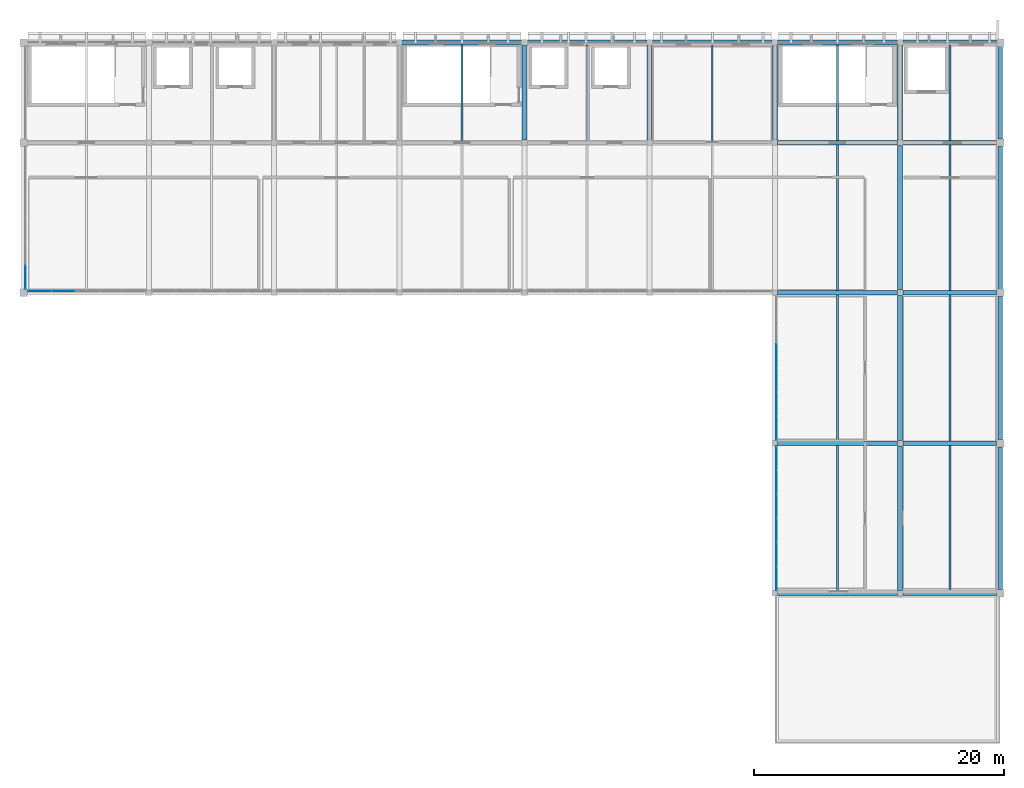
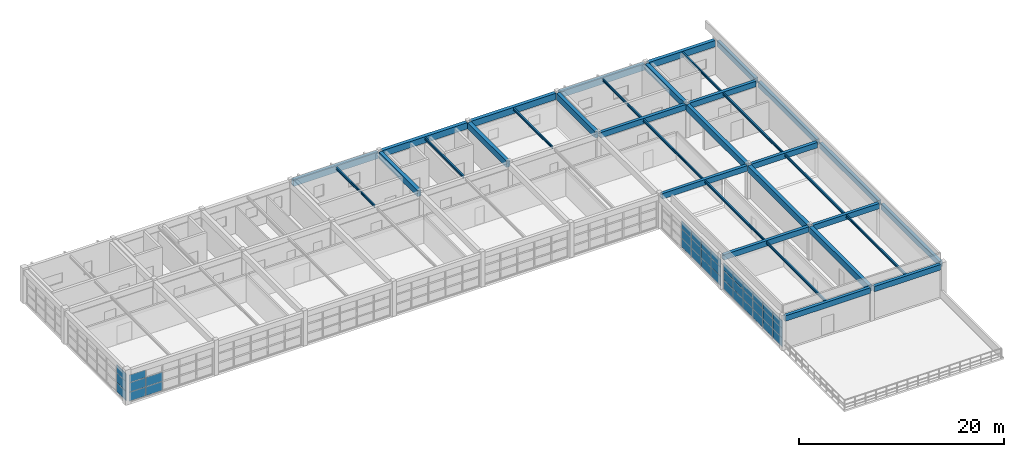
# One storey, part 9 of 16: 38 plates, 35 beams, 4 elements without a shape of their own.
"""IFC4 building model written with IfcOpenShell, lengths in metres."""

from ifc_helpers import new_model, si_unit, direction, frame, origin, origin_2d, place, context, subcontext, project, spatial, rectangle, i_section, extrude, material, layer, layer_set, material_profile, profile_set, type_object, element, aggregate, save


model = new_model("IFC4")

# Units and contexts
model_context = context("Model", 3, precision=1e-05, world=origin(), true_north=direction((0.0, 1.0)))
body_context = subcontext(model_context, "Body", "Model", "MODEL_VIEW")
ifc_project = project(units=[si_unit("LENGTHUNIT", "METRE"), si_unit("AREAUNIT", "SQUARE_METRE"), si_unit("VOLUMEUNIT", "CUBIC_METRE"), si_unit("PLANEANGLEUNIT", "RADIAN"), si_unit("MASSUNIT", "GRAM", prefix="KILO")], contexts=[model_context])

# Site, building, storey
site_placement = place(None, origin())
site = spatial("IfcSite", under=ifc_project, at=site_placement, CompositionType="ELEMENT")
building_placement = place(site_placement, origin())
building = spatial("IfcBuilding", under=site, at=building_placement, Name="Kivolera Central Railway Station", CompositionType="ELEMENT")
storey_placement = place(building_placement, frame((0.0, 0.0, 27.0)))
storey = spatial("IfcBuildingStorey", under=building, at=storey_placement, Name="L06", CompositionType="ELEMENT", Elevation=27.0)

# Beams
ifc_material_1 = material(Name="Steel S355", Category="steel")
ifc_material_profile_1 = material_profile(ifc_material_1, i_section(OverallWidth=0.14990234375, OverallDepth=0.300048828125, WebThickness=0.007080078125, FlangeThickness=0.0107421875, FilletRadius=0.014892578125, at=origin_2d()), Name="IPE 300")
ifc_profile_set_1 = profile_set([ifc_material_profile_1], Name="Steel S355")
beam_type_1 = type_object("IfcBeamType", Name="BM-JST-IPE300", PredefinedType="JOIST", material=ifc_profile_set_1)
for number, where, z_axis, x_axis, name in (
    (1, (153.0, 126.1669921875, 3.818115234375), (0.0, 1.0, 0.0), (-1.0, 0.0, 0.0), "L06 Floor Joist 15-16/L-M"),
    (2, (163.0, 126.1669921875, 3.818115234375), (0.0, 1.0, 0.0), (-1.0, 0.0, 0.0), "L06 Floor Joist 16-17/L-M"),
    (3, (173.0, 126.1669921875, 3.818115234375), (0.0, 1.0, 0.0), (-1.0, 0.0, 0.0), "L06 Floor Joist 17-18/L-M"),
):
    element("IfcBeam", number, at=place(storey_placement, frame(where, z_axis=z_axis, x_axis=x_axis)), inside=storey, type_object=beam_type_1, Name=name, PredefinedType="JOIST", context=body_context, shape_type="SweptSolid", body=[
        extrude(i_section(OverallWidth=0.14990234375, OverallDepth=0.300048828125, WebThickness=0.007080078125, FlangeThickness=0.0107421875, FilletRadius=0.014892578125, at=origin_2d()), origin(), (0.0, 0.0, 1.0), 7.64111328125),
    ])
for number, where, z_axis, x_axis, name in (
    (4, (183.0, 90.1669921875, 3.818115234375), (0.0, 1.0, 0.0), (-1.0, 0.0, 0.0), "L06 Floor Joist 18-19/H-J"),
    (5, (183.0, 102.1669921875, 3.818115234375), (0.0, 1.0, 0.0), (-1.0, 0.0, 0.0), "L06 Floor Joist 18-19/J-K"),
    (6, (183.0, 114.1669921875, 3.818115234375), (0.0, 1.0, 0.0), (-1.0, 0.0, 0.0), "L06 Floor Joist 18-19/K-L"),
):
    element("IfcBeam", number, at=place(storey_placement, frame(where, z_axis=z_axis, x_axis=x_axis)), inside=storey, type_object=beam_type_1, Name=name, PredefinedType="JOIST", context=body_context, shape_type="SweptSolid", body=[
        extrude(i_section(OverallWidth=0.14990234375, OverallDepth=0.300048828125, WebThickness=0.007080078125, FlangeThickness=0.0107421875, FilletRadius=0.014892578125, at=origin_2d()), origin(), (0.0, 0.0, 1.0), 11.666015625),
    ])
beam_1_placement = place(storey_placement, frame((183.0, 126.1669921875, 3.818115234375), z_axis=(0.0, 1.0, 0.0), x_axis=(-1.0, 0.0, 0.0)))
element("IfcBeam", 7, at=beam_1_placement, inside=storey, type_object=beam_type_1, Name="L06 Floor Joist 18-19/L-M", PredefinedType="JOIST", context=body_context, shape_type="SweptSolid", body=[
    extrude(i_section(OverallWidth=0.14990234375, OverallDepth=0.300048828125, WebThickness=0.007080078125, FlangeThickness=0.0107421875, FilletRadius=0.014892578125, at=origin_2d()), origin(), (0.0, 0.0, 1.0), 7.64111328125),
])
for number, where, z_axis, x_axis, name in (
    (8, (192.0, 90.1669921875, 3.818115234375), (0.0, 1.0, 0.0), (-1.0, 0.0, 0.0), "L06 Floor Joist 19-20/H-J"),
    (9, (192.0, 102.1669921875, 3.818115234375), (0.0, 1.0, 0.0), (-1.0, 0.0, 0.0), "L06 Floor Joist 19-20/J-K"),
    (10, (192.0, 114.1669921875, 3.818115234375), (0.0, 1.0, 0.0), (-1.0, 0.0, 0.0), "L06 Floor Joist 19-20/K-L"),
):
    element("IfcBeam", number, at=place(storey_placement, frame(where, z_axis=z_axis, x_axis=x_axis)), inside=storey, type_object=beam_type_1, Name=name, PredefinedType="JOIST", context=body_context, shape_type="SweptSolid", body=[
        extrude(i_section(OverallWidth=0.14990234375, OverallDepth=0.300048828125, WebThickness=0.007080078125, FlangeThickness=0.0107421875, FilletRadius=0.014892578125, at=origin_2d()), origin(), (0.0, 0.0, 1.0), 11.666015625),
    ])
beam_2_placement = place(storey_placement, frame((192.0, 126.1669921875, 3.818115234375), z_axis=(0.0, 1.0, 0.0), x_axis=(-1.0, 0.0, 0.0)))
element("IfcBeam", 11, at=beam_2_placement, inside=storey, type_object=beam_type_1, Name="L06 Floor Joist 19-20/L-M", PredefinedType="JOIST", context=body_context, shape_type="SweptSolid", body=[
    extrude(i_section(OverallWidth=0.14990234375, OverallDepth=0.300048828125, WebThickness=0.007080078125, FlangeThickness=0.0107421875, FilletRadius=0.014892578125, at=origin_2d()), origin(), (0.0, 0.0, 1.0), 7.64111328125),
])
ifc_material_2 = material(Name="Concrete C40/50", Category="concrete")
ifc_material_profile_2 = material_profile(ifc_material_2, rectangle(XDim=0.35009765625, YDim=0.64990234375, at=origin_2d()), Name="RC 350x650")
ifc_profile_set_2 = profile_set([ifc_material_profile_2], Name="Concrete C40/50")
beam_type_2 = type_object("IfcBeamType", Name="BM-RC-350x650", PredefinedType="BEAM", material=ifc_profile_set_2)
beam_3_placement = place(storey_placement, frame((178.217041015625, 90.0, 3.655029296875), z_axis=(1.0, 0.0, 0.0), x_axis=(0.0, 1.0, 0.0)))
element("IfcBeam", 12, at=beam_3_placement, inside=storey, type_object=beam_type_2, Name="L06 Wing X-Beam H:18-19", PredefinedType="BEAM", context=body_context, shape_type="SweptSolid", body=[
    extrude(rectangle(XDim=0.35009765625, YDim=0.64990234375, at=origin_2d()), origin(), (0.0, 0.0, 1.0), 9.56591796875),
])
beam_4_placement = place(storey_placement, frame((188.217041015625, 90.0, 3.655029296875), z_axis=(1.0, 0.0, 0.0), x_axis=(0.0, 1.0, 0.0)))
element("IfcBeam", 13, at=beam_4_placement, inside=storey, type_object=beam_type_2, Name="L06 Wing X-Beam H:19-20", PredefinedType="BEAM", context=body_context, shape_type="SweptSolid", body=[
    extrude(rectangle(XDim=0.35009765625, YDim=0.64990234375, at=origin_2d()), origin(), (0.0, 0.0, 1.0), 7.490966796875),
])
beam_5_placement = place(storey_placement, frame((178.217041015625, 102.0, 3.655029296875), z_axis=(1.0, 0.0, 0.0), x_axis=(0.0, 1.0, 0.0)))
element("IfcBeam", 14, at=beam_5_placement, inside=storey, type_object=beam_type_2, Name="L06 Wing X-Beam J:18-19", PredefinedType="BEAM", context=body_context, shape_type="SweptSolid", body=[
    extrude(rectangle(XDim=0.35009765625, YDim=0.64990234375, at=origin_2d()), origin(), (0.0, 0.0, 1.0), 9.56591796875),
])
beam_6_placement = place(storey_placement, frame((188.217041015625, 102.0, 3.655029296875), z_axis=(1.0, 0.0, 0.0), x_axis=(0.0, 1.0, 0.0)))
element("IfcBeam", 15, at=beam_6_placement, inside=storey, type_object=beam_type_2, Name="L06 Wing X-Beam J:19-20", PredefinedType="BEAM", context=body_context, shape_type="SweptSolid", body=[
    extrude(rectangle(XDim=0.35009765625, YDim=0.64990234375, at=origin_2d()), origin(), (0.0, 0.0, 1.0), 7.490966796875),
])
beam_7_placement = place(storey_placement, frame((178.217041015625, 114.0, 3.655029296875), z_axis=(1.0, 0.0, 0.0), x_axis=(0.0, 1.0, 0.0)))
element("IfcBeam", 16, at=beam_7_placement, inside=storey, type_object=beam_type_2, Name="L06 Wing X-Beam K:18-19", PredefinedType="BEAM", context=body_context, shape_type="SweptSolid", body=[
    extrude(rectangle(XDim=0.35009765625, YDim=0.64990234375, at=origin_2d()), origin(), (0.0, 0.0, 1.0), 9.56591796875),
])
beam_8_placement = place(storey_placement, frame((188.217041015625, 114.0, 3.655029296875), z_axis=(1.0, 0.0, 0.0), x_axis=(0.0, 1.0, 0.0)))
element("IfcBeam", 17, at=beam_8_placement, inside=storey, type_object=beam_type_2, Name="L06 Wing X-Beam K:19-20", PredefinedType="BEAM", context=body_context, shape_type="SweptSolid", body=[
    extrude(rectangle(XDim=0.35009765625, YDim=0.64990234375, at=origin_2d()), origin(), (0.0, 0.0, 1.0), 7.490966796875),
])
beam_9_placement = place(storey_placement, frame((178.217041015625, 126.0, 3.655029296875), z_axis=(1.0, 0.0, 0.0), x_axis=(0.0, 1.0, 0.0)))
element("IfcBeam", 18, at=beam_9_placement, inside=storey, type_object=beam_type_2, Name="L06 Wing X-Beam L:18-19", PredefinedType="BEAM", context=body_context, shape_type="SweptSolid", body=[
    extrude(rectangle(XDim=0.35009765625, YDim=0.64990234375, at=origin_2d()), origin(), (0.0, 0.0, 1.0), 9.56591796875),
])
beam_10_placement = place(storey_placement, frame((188.217041015625, 126.0, 3.655029296875), z_axis=(1.0, 0.0, 0.0), x_axis=(0.0, 1.0, 0.0)))
element("IfcBeam", 19, at=beam_10_placement, inside=storey, type_object=beam_type_2, Name="L06 Wing X-Beam L:19-20", PredefinedType="BEAM", context=body_context, shape_type="SweptSolid", body=[
    extrude(rectangle(XDim=0.35009765625, YDim=0.64990234375, at=origin_2d()), origin(), (0.0, 0.0, 1.0), 7.490966796875),
])
ifc_material_profile_3 = material_profile(ifc_material_2, rectangle(XDim=0.39990234375, YDim=0.75, at=origin_2d()), Name="RC 400x750")
ifc_profile_set_3 = profile_set([ifc_material_profile_3], Name="Concrete C40/50")
beam_type_3 = type_object("IfcBeamType", Name="BM-RC-400x750", PredefinedType="BEAM", material=ifc_profile_set_3)
for number, where, z_axis, x_axis, name in (
    (20, (158.0, 126.217041015625, 3.60498046875), (0.0, 1.0, 0.0), (-1.0, 0.0, 0.0), "L06 Wing Y-Beam 16:L-M"),
    (21, (168.0, 126.217041015625, 3.60498046875), (0.0, 1.0, 0.0), (-1.0, 0.0, 0.0), "L06 Wing Y-Beam 17:L-M"),
    (22, (178.0, 126.217041015625, 3.60498046875), (0.0, 1.0, 0.0), (-1.0, 0.0, 0.0), "L06 Wing Y-Beam 18:L-M"),
):
    element("IfcBeam", number, at=place(storey_placement, frame(where, z_axis=z_axis, x_axis=x_axis)), inside=storey, type_object=beam_type_3, Name=name, PredefinedType="BEAM", context=body_context, shape_type="SweptSolid", body=[
        extrude(rectangle(XDim=0.39990234375, YDim=0.75, at=origin_2d()), origin(), (0.0, 0.0, 1.0), 7.56591796875),
    ])
for number, where, z_axis, x_axis, name in (
    (23, (188.0, 90.217041015625, 3.60498046875), (0.0, 1.0, 0.0), (-1.0, 0.0, 0.0), "L06 Wing Y-Beam 19:H-J"),
    (24, (188.0, 102.217041015625, 3.60498046875), (0.0, 1.0, 0.0), (-1.0, 0.0, 0.0), "L06 Wing Y-Beam 19:J-K"),
    (25, (188.0, 114.217041015625, 3.60498046875), (0.0, 1.0, 0.0), (-1.0, 0.0, 0.0), "L06 Wing Y-Beam 19:K-L"),
):
    element("IfcBeam", number, at=place(storey_placement, frame(where, z_axis=z_axis, x_axis=x_axis)), inside=storey, type_object=beam_type_3, Name=name, PredefinedType="BEAM", context=body_context, shape_type="SweptSolid", body=[
        extrude(rectangle(XDim=0.39990234375, YDim=0.75, at=origin_2d()), origin(), (0.0, 0.0, 1.0), 11.56591796875),
    ])
beam_11_placement = place(storey_placement, frame((188.0, 126.217041015625, 3.60498046875), z_axis=(0.0, 1.0, 0.0), x_axis=(-1.0, 0.0, 0.0)))
element("IfcBeam", 26, at=beam_11_placement, inside=storey, type_object=beam_type_3, Name="L06 Wing Y-Beam 19:L-M", PredefinedType="BEAM", context=body_context, shape_type="SweptSolid", body=[
    extrude(rectangle(XDim=0.39990234375, YDim=0.75, at=origin_2d()), origin(), (0.0, 0.0, 1.0), 7.56591796875),
])
ifc_material_profile_4 = material_profile(ifc_material_2, rectangle(XDim=0.35009765625, YDim=0.64990234375, at=origin_2d()), Name="RC 350x650")
ifc_profile_set_4 = profile_set([ifc_material_profile_4], Name="Concrete C40/50")
beam_type_4 = type_object("IfcBeamType", Name="BM-SPN-RC650", PredefinedType="SPANDREL", material=ifc_profile_set_4)
for number, where, z_axis, x_axis, name in (
    (27, (196.0, 90.2919921875, 3.655029296875), (0.0, 1.0, 0.0), (-1.0, 0.0, 0.0), "L06 Wing Y-Beam 20:H-J"),
    (28, (196.0, 102.2919921875, 3.655029296875), (0.0, 1.0, 0.0), (-1.0, 0.0, 0.0), "L06 Wing Y-Beam 20:J-K"),
    (29, (196.0, 114.2919921875, 3.655029296875), (0.0, 1.0, 0.0), (-1.0, 0.0, 0.0), "L06 Wing Y-Beam 20:K-L"),
):
    element("IfcBeam", number, at=place(storey_placement, frame(where, z_axis=z_axis, x_axis=x_axis)), inside=storey, type_object=beam_type_4, Name=name, PredefinedType="SPANDREL", context=body_context, shape_type="SweptSolid", body=[
        extrude(rectangle(XDim=0.35009765625, YDim=0.64990234375, at=origin_2d()), origin(), (0.0, 0.0, 1.0), 11.416015625),
    ])
beam_12_placement = place(storey_placement, frame((196.0, 126.2919921875, 3.655029296875), z_axis=(0.0, 1.0, 0.0), x_axis=(-1.0, 0.0, 0.0)))
element("IfcBeam", 30, at=beam_12_placement, inside=storey, type_object=beam_type_4, Name="L06 Wing Y-Beam 20:L-M", PredefinedType="SPANDREL", context=body_context, shape_type="SweptSolid", body=[
    extrude(rectangle(XDim=0.35009765625, YDim=0.64990234375, at=origin_2d()), origin(), (0.0, 0.0, 1.0), 7.416015625),
])
ifc_material_profile_5 = material_profile(ifc_material_2, rectangle(XDim=0.39990234375, YDim=0.75, at=origin_2d()), Name="RC 400x750")
ifc_profile_set_5 = profile_set([ifc_material_profile_5], Name="Concrete C40/50")
beam_type_5 = type_object("IfcBeamType", Name="BM-SPN-RC750", PredefinedType="SPANDREL", material=ifc_profile_set_5)
for number, where, z_axis, x_axis, name in (
    (31, (148.217041015625, 134.0, 3.60498046875), (1.0, 0.0, 0.0), (0.0, 1.0, 0.0), "L06 Wing X-Beam M:15-16"),
    (32, (158.217041015625, 134.0, 3.60498046875), (1.0, 0.0, 0.0), (0.0, 1.0, 0.0), "L06 Wing X-Beam M:16-17"),
    (33, (168.217041015625, 134.0, 3.60498046875), (1.0, 0.0, 0.0), (0.0, 1.0, 0.0), "L06 Wing X-Beam M:17-18"),
    (34, (178.217041015625, 134.0, 3.60498046875), (1.0, 0.0, 0.0), (0.0, 1.0, 0.0), "L06 Wing X-Beam M:18-19"),
):
    element("IfcBeam", number, at=place(storey_placement, frame(where, z_axis=z_axis, x_axis=x_axis)), inside=storey, type_object=beam_type_5, Name=name, PredefinedType="SPANDREL", context=body_context, shape_type="SweptSolid", body=[
        extrude(rectangle(XDim=0.39990234375, YDim=0.75, at=origin_2d()), origin(), (0.0, 0.0, 1.0), 9.56591796875),
    ])
beam_13_placement = place(storey_placement, frame((188.217041015625, 134.0, 3.60498046875), z_axis=(1.0, 0.0, 0.0), x_axis=(0.0, 1.0, 0.0)))
element("IfcBeam", 35, at=beam_13_placement, inside=storey, type_object=beam_type_5, Name="L06 Wing X-Beam M:19-20", PredefinedType="SPANDREL", context=body_context, shape_type="SweptSolid", body=[
    extrude(rectangle(XDim=0.39990234375, YDim=0.75, at=origin_2d()), origin(), (0.0, 0.0, 1.0), 7.490966796875),
])

# Curtain wall, plates
ifc_material_3 = material(Name="Anodised aluminium", Category="aluminium")
ifc_layer_1 = layer(ifc_material_3, 0.179931640625, Name="Anodised aluminium")
ifc_layer_set_1 = layer_set([ifc_layer_1], Name="Anodised aluminium")
curtain_wall_type_1 = type_object("IfcCurtainWallType", Name="CW-SYS-37", PredefinedType="NOTDEFINED", material=ifc_layer_set_1)
curtain_wall_1_placement = place(storey_placement, origin())
curtain_wall_1 = element("IfcCurtainWall", 36, at=curtain_wall_1_placement, inside=storey, type_object=curtain_wall_type_1, Name="L06 Curtain Wall CW-L06-SOUTH-1", PredefinedType="NOTDEFINED")
ifc_material_4 = material(Name="Double low-E laminated glass", Category="glass")
ifc_layer_2 = layer(ifc_material_4, 0.030029296875, Name="Double low-E laminated glass")
ifc_layer_set_2 = layer_set([ifc_layer_2], Name="Double low-E laminated glass")
plate_type_1 = type_object("IfcPlateType", Name="CWP-GLZ-2", PredefinedType="CURTAIN_PANEL", material=ifc_layer_set_2)
plate_1_placement = place(storey_placement, frame((121.140380859375, 114.135009765625, 0.0478515625), z_axis=(0.0, 0.0, 1.0), x_axis=(-1.0, 0.0, 0.0)))
plate_1 = element("IfcPlate", 37, at=plate_1_placement, type_object=plate_type_1, Name="CW-37 panel 4.1", PredefinedType="CURTAIN_PANEL", context=body_context, shape_type="SweptSolid", body=[
    extrude(rectangle(XDim=1.861083984375, YDim=0.030029296875, at=origin_2d()), origin(), (0.0, 0.0, 1.0), 1.060302734375),
])
plate_2_placement = place(storey_placement, frame((121.140380859375, 114.135009765625, 1.144287109375), z_axis=(0.0, 0.0, 1.0), x_axis=(-1.0, 0.0, 0.0)))
plate_2 = element("IfcPlate", 38, at=plate_2_placement, type_object=plate_type_1, Name="CW-37 panel 4.2", PredefinedType="CURTAIN_PANEL", context=body_context, shape_type="SweptSolid", body=[
    extrude(rectangle(XDim=1.861083984375, YDim=0.030029296875, at=origin_2d()), origin(), (0.0, 0.0, 1.0), 1.09033203125),
])
plate_3_placement = place(storey_placement, frame((119.258544921875, 114.135009765625, 0.0478515625), z_axis=(0.0, 0.0, 1.0), x_axis=(-1.0, 0.0, 0.0)))
plate_3 = element("IfcPlate", 39, at=plate_3_placement, type_object=plate_type_1, Name="CW-37 panel 5.1", PredefinedType="CURTAIN_PANEL", context=body_context, shape_type="SweptSolid", body=[
    extrude(rectangle(XDim=1.8310546875, YDim=0.030029296875, at=origin_2d()), origin(), (0.0, 0.0, 1.0), 1.060302734375),
])
plate_4_placement = place(storey_placement, frame((119.258544921875, 114.135009765625, 1.144287109375), z_axis=(0.0, 0.0, 1.0), x_axis=(-1.0, 0.0, 0.0)))
plate_4 = element("IfcPlate", 40, at=plate_4_placement, type_object=plate_type_1, Name="CW-37 panel 5.2", PredefinedType="CURTAIN_PANEL", context=body_context, shape_type="SweptSolid", body=[
    extrude(rectangle(XDim=1.8310546875, YDim=0.030029296875, at=origin_2d()), origin(), (0.0, 0.0, 1.0), 1.09033203125),
])
plate_5_placement = place(storey_placement, frame((119.258544921875, 114.135009765625, 2.2705078125), z_axis=(0.0, 0.0, 1.0), x_axis=(-1.0, 0.0, 0.0)))
plate_5 = element("IfcPlate", 41, at=plate_5_placement, type_object=plate_type_1, Name="CW-37 panel 5.3", PredefinedType="CURTAIN_PANEL", context=body_context, shape_type="SweptSolid", body=[
    extrude(rectangle(XDim=1.8310546875, YDim=0.030029296875, at=origin_2d()), origin(), (0.0, 0.0, 1.0), 0.8994140625),
])
aggregate(curtain_wall_1, [plate_1, plate_2, plate_3, plate_4, plate_5])

ifc_layer_3 = layer(ifc_material_3, 0.179931640625, Name="Anodised aluminium")
ifc_layer_set_3 = layer_set([ifc_layer_3], Name="Anodised aluminium")
curtain_wall_type_2 = type_object("IfcCurtainWallType", Name="CW-SYS-35", PredefinedType="NOTDEFINED", material=ifc_layer_set_3)
curtain_wall_2_placement = place(storey_placement, origin())
curtain_wall_2 = element("IfcCurtainWall", 42, at=curtain_wall_2_placement, inside=storey, type_object=curtain_wall_type_2, Name="L06 Curtain Wall CW-L06-CRTE-H", PredefinedType="NOTDEFINED")
ifc_layer_4 = layer(ifc_material_4, 0.033935546875, Name="Double low-E laminated glass")
ifc_layer_set_4 = layer_set([ifc_layer_4], Name="Double low-E laminated glass")
plate_type_2 = type_object("IfcPlateType", Name="CWP-GLZ-3", PredefinedType="CURTAIN_PANEL", material=ifc_layer_set_4)
plate_6_placement = place(storey_placement, frame((178.135009765625, 91.1982421875, 0.0478515625), z_axis=(0.0, 0.0, 1.0), x_axis=(0.0, 1.0, 0.0)))
plate_6 = element("IfcPlate", 43, at=plate_6_placement, type_object=plate_type_2, Name="CW-35 panel 1.1", PredefinedType="CURTAIN_PANEL", context=body_context, shape_type="SweptSolid", body=[
    extrude(rectangle(XDim=1.860595703125, YDim=0.033935546875, at=origin_2d()), origin(), (0.0, 0.0, 1.0), 1.060302734375),
])
plate_7_placement = place(storey_placement, frame((178.135009765625, 91.1982421875, 1.144287109375), z_axis=(0.0, 0.0, 1.0), x_axis=(0.0, 1.0, 0.0)))
plate_7 = element("IfcPlate", 44, at=plate_7_placement, type_object=plate_type_2, Name="CW-35 panel 1.2", PredefinedType="CURTAIN_PANEL", context=body_context, shape_type="SweptSolid", body=[
    extrude(rectangle(XDim=1.860595703125, YDim=0.033935546875, at=origin_2d()), origin(), (0.0, 0.0, 1.0), 1.09033203125),
])
plate_8_placement = place(storey_placement, frame((178.135009765625, 91.1982421875, 2.2705078125), z_axis=(0.0, 0.0, 1.0), x_axis=(0.0, 1.0, 0.0)))
plate_8 = element("IfcPlate", 45, at=plate_8_placement, type_object=plate_type_2, Name="CW-35 panel 1.3", PredefinedType="CURTAIN_PANEL", context=body_context, shape_type="SweptSolid", body=[
    extrude(rectangle(XDim=1.860595703125, YDim=0.033935546875, at=origin_2d()), origin(), (0.0, 0.0, 1.0), 0.8994140625),
])
plate_9_placement = place(storey_placement, frame((178.135009765625, 93.110107421875, 0.0478515625), z_axis=(0.0, 0.0, 1.0), x_axis=(0.0, 1.0, 0.0)))
plate_9 = element("IfcPlate", 46, at=plate_9_placement, type_object=plate_type_2, Name="CW-35 panel 2.1", PredefinedType="CURTAIN_PANEL", context=body_context, shape_type="SweptSolid", body=[
    extrude(rectangle(XDim=1.890625, YDim=0.033935546875, at=origin_2d()), origin(), (0.0, 0.0, 1.0), 1.060302734375),
])
plate_10_placement = place(storey_placement, frame((178.135009765625, 93.110107421875, 1.144287109375), z_axis=(0.0, 0.0, 1.0), x_axis=(0.0, 1.0, 0.0)))
plate_10 = element("IfcPlate", 47, at=plate_10_placement, type_object=plate_type_2, Name="CW-35 panel 2.2", PredefinedType="CURTAIN_PANEL", context=body_context, shape_type="SweptSolid", body=[
    extrude(rectangle(XDim=1.890625, YDim=0.033935546875, at=origin_2d()), origin(), (0.0, 0.0, 1.0), 1.09033203125),
])
plate_11_placement = place(storey_placement, frame((178.135009765625, 93.110107421875, 2.2705078125), z_axis=(0.0, 0.0, 1.0), x_axis=(0.0, 1.0, 0.0)))
plate_11 = element("IfcPlate", 48, at=plate_11_placement, type_object=plate_type_2, Name="CW-35 panel 2.3", PredefinedType="CURTAIN_PANEL", context=body_context, shape_type="SweptSolid", body=[
    extrude(rectangle(XDim=1.890625, YDim=0.033935546875, at=origin_2d()), origin(), (0.0, 0.0, 1.0), 0.8994140625),
])
plate_12_placement = place(storey_placement, frame((178.135009765625, 95.03662109375, 0.0478515625), z_axis=(0.0, 0.0, 1.0), x_axis=(0.0, 1.0, 0.0)))
plate_12 = element("IfcPlate", 49, at=plate_12_placement, type_object=plate_type_2, Name="CW-35 panel 3.1", PredefinedType="CURTAIN_PANEL", context=body_context, shape_type="SweptSolid", body=[
    extrude(rectangle(XDim=1.890625, YDim=0.033935546875, at=origin_2d()), origin(), (0.0, 0.0, 1.0), 1.060302734375),
])
plate_13_placement = place(storey_placement, frame((178.135009765625, 95.03662109375, 1.144287109375), z_axis=(0.0, 0.0, 1.0), x_axis=(0.0, 1.0, 0.0)))
plate_13 = element("IfcPlate", 50, at=plate_13_placement, type_object=plate_type_2, Name="CW-35 panel 3.2", PredefinedType="CURTAIN_PANEL", context=body_context, shape_type="SweptSolid", body=[
    extrude(rectangle(XDim=1.890625, YDim=0.033935546875, at=origin_2d()), origin(), (0.0, 0.0, 1.0), 1.09033203125),
])
plate_14_placement = place(storey_placement, frame((178.135009765625, 95.03662109375, 2.2705078125), z_axis=(0.0, 0.0, 1.0), x_axis=(0.0, 1.0, 0.0)))
plate_14 = element("IfcPlate", 51, at=plate_14_placement, type_object=plate_type_2, Name="CW-35 panel 3.3", PredefinedType="CURTAIN_PANEL", context=body_context, shape_type="SweptSolid", body=[
    extrude(rectangle(XDim=1.890625, YDim=0.033935546875, at=origin_2d()), origin(), (0.0, 0.0, 1.0), 0.8994140625),
])
plate_15_placement = place(storey_placement, frame((178.135009765625, 96.96337890625, 0.0478515625), z_axis=(0.0, 0.0, 1.0), x_axis=(0.0, 1.0, 0.0)))
plate_15 = element("IfcPlate", 52, at=plate_15_placement, type_object=plate_type_2, Name="CW-35 panel 4.1", PredefinedType="CURTAIN_PANEL", context=body_context, shape_type="SweptSolid", body=[
    extrude(rectangle(XDim=1.890625, YDim=0.033935546875, at=origin_2d()), origin(), (0.0, 0.0, 1.0), 1.060302734375),
])
plate_16_placement = place(storey_placement, frame((178.135009765625, 96.96337890625, 1.144287109375), z_axis=(0.0, 0.0, 1.0), x_axis=(0.0, 1.0, 0.0)))
plate_16 = element("IfcPlate", 53, at=plate_16_placement, type_object=plate_type_2, Name="CW-35 panel 4.2", PredefinedType="CURTAIN_PANEL", context=body_context, shape_type="SweptSolid", body=[
    extrude(rectangle(XDim=1.890625, YDim=0.033935546875, at=origin_2d()), origin(), (0.0, 0.0, 1.0), 1.09033203125),
])
plate_17_placement = place(storey_placement, frame((178.135009765625, 96.96337890625, 2.2705078125), z_axis=(0.0, 0.0, 1.0), x_axis=(0.0, 1.0, 0.0)))
plate_17 = element("IfcPlate", 54, at=plate_17_placement, type_object=plate_type_2, Name="CW-35 panel 4.3", PredefinedType="CURTAIN_PANEL", context=body_context, shape_type="SweptSolid", body=[
    extrude(rectangle(XDim=1.890625, YDim=0.033935546875, at=origin_2d()), origin(), (0.0, 0.0, 1.0), 0.8994140625),
])
plate_18_placement = place(storey_placement, frame((178.135009765625, 98.889892578125, 0.0478515625), z_axis=(0.0, 0.0, 1.0), x_axis=(0.0, 1.0, 0.0)))
plate_18 = element("IfcPlate", 55, at=plate_18_placement, type_object=plate_type_2, Name="CW-35 panel 5.1", PredefinedType="CURTAIN_PANEL", context=body_context, shape_type="SweptSolid", body=[
    extrude(rectangle(XDim=1.890625, YDim=0.033935546875, at=origin_2d()), origin(), (0.0, 0.0, 1.0), 1.060302734375),
])
plate_19_placement = place(storey_placement, frame((178.135009765625, 98.889892578125, 1.144287109375), z_axis=(0.0, 0.0, 1.0), x_axis=(0.0, 1.0, 0.0)))
plate_19 = element("IfcPlate", 56, at=plate_19_placement, type_object=plate_type_2, Name="CW-35 panel 5.2", PredefinedType="CURTAIN_PANEL", context=body_context, shape_type="SweptSolid", body=[
    extrude(rectangle(XDim=1.890625, YDim=0.033935546875, at=origin_2d()), origin(), (0.0, 0.0, 1.0), 1.09033203125),
])
plate_20_placement = place(storey_placement, frame((178.135009765625, 98.889892578125, 2.2705078125), z_axis=(0.0, 0.0, 1.0), x_axis=(0.0, 1.0, 0.0)))
plate_20 = element("IfcPlate", 57, at=plate_20_placement, type_object=plate_type_2, Name="CW-35 panel 5.3", PredefinedType="CURTAIN_PANEL", context=body_context, shape_type="SweptSolid", body=[
    extrude(rectangle(XDim=1.890625, YDim=0.033935546875, at=origin_2d()), origin(), (0.0, 0.0, 1.0), 0.8994140625),
])
plate_21_placement = place(storey_placement, frame((178.135009765625, 100.8017578125, 0.0478515625), z_axis=(0.0, 0.0, 1.0), x_axis=(0.0, 1.0, 0.0)))
plate_21 = element("IfcPlate", 58, at=plate_21_placement, type_object=plate_type_2, Name="CW-35 panel 6.1", PredefinedType="CURTAIN_PANEL", context=body_context, shape_type="SweptSolid", body=[
    extrude(rectangle(XDim=1.860595703125, YDim=0.033935546875, at=origin_2d()), origin(), (0.0, 0.0, 1.0), 1.060302734375),
])
plate_22_placement = place(storey_placement, frame((178.135009765625, 100.8017578125, 1.144287109375), z_axis=(0.0, 0.0, 1.0), x_axis=(0.0, 1.0, 0.0)))
plate_22 = element("IfcPlate", 59, at=plate_22_placement, type_object=plate_type_2, Name="CW-35 panel 6.2", PredefinedType="CURTAIN_PANEL", context=body_context, shape_type="SweptSolid", body=[
    extrude(rectangle(XDim=1.860595703125, YDim=0.033935546875, at=origin_2d()), origin(), (0.0, 0.0, 1.0), 1.09033203125),
])
plate_23_placement = place(storey_placement, frame((178.135009765625, 100.8017578125, 2.2705078125), z_axis=(0.0, 0.0, 1.0), x_axis=(0.0, 1.0, 0.0)))
plate_23 = element("IfcPlate", 60, at=plate_23_placement, type_object=plate_type_2, Name="CW-35 panel 6.3", PredefinedType="CURTAIN_PANEL", context=body_context, shape_type="SweptSolid", body=[
    extrude(rectangle(XDim=1.860595703125, YDim=0.033935546875, at=origin_2d()), origin(), (0.0, 0.0, 1.0), 0.8994140625),
])
aggregate(curtain_wall_2, [plate_6, plate_7, plate_8, plate_9, plate_10, plate_11, plate_12, plate_13, plate_14, plate_15, plate_16, plate_17, plate_18, plate_19, plate_20, plate_21, plate_22, plate_23])

curtain_wall_3_placement = place(storey_placement, origin())
curtain_wall_3 = element("IfcCurtainWall", 61, at=curtain_wall_3_placement, inside=storey, type_object=curtain_wall_type_2, Name="L06 Curtain Wall CW-L06-CRTE-J", PredefinedType="NOTDEFINED")
plate_24_placement = place(storey_placement, frame((178.135009765625, 103.1982421875, 0.0478515625), z_axis=(0.0, 0.0, 1.0), x_axis=(0.0, 1.0, 0.0)))
plate_24 = element("IfcPlate", 62, at=plate_24_placement, type_object=plate_type_2, Name="CW-35 panel 1.1", PredefinedType="CURTAIN_PANEL", context=body_context, shape_type="SweptSolid", body=[
    extrude(rectangle(XDim=1.860595703125, YDim=0.033935546875, at=origin_2d()), origin(), (0.0, 0.0, 1.0), 1.060302734375),
])
plate_25_placement = place(storey_placement, frame((178.135009765625, 103.1982421875, 1.144287109375), z_axis=(0.0, 0.0, 1.0), x_axis=(0.0, 1.0, 0.0)))
plate_25 = element("IfcPlate", 63, at=plate_25_placement, type_object=plate_type_2, Name="CW-35 panel 1.2", PredefinedType="CURTAIN_PANEL", context=body_context, shape_type="SweptSolid", body=[
    extrude(rectangle(XDim=1.860595703125, YDim=0.033935546875, at=origin_2d()), origin(), (0.0, 0.0, 1.0), 1.09033203125),
])
plate_26_placement = place(storey_placement, frame((178.135009765625, 103.1982421875, 2.2705078125), z_axis=(0.0, 0.0, 1.0), x_axis=(0.0, 1.0, 0.0)))
plate_26 = element("IfcPlate", 64, at=plate_26_placement, type_object=plate_type_2, Name="CW-35 panel 1.3", PredefinedType="CURTAIN_PANEL", context=body_context, shape_type="SweptSolid", body=[
    extrude(rectangle(XDim=1.860595703125, YDim=0.033935546875, at=origin_2d()), origin(), (0.0, 0.0, 1.0), 0.8994140625),
])
plate_27_placement = place(storey_placement, frame((178.135009765625, 105.110107421875, 0.0478515625), z_axis=(0.0, 0.0, 1.0), x_axis=(0.0, 1.0, 0.0)))
plate_27 = element("IfcPlate", 65, at=plate_27_placement, type_object=plate_type_2, Name="CW-35 panel 2.1", PredefinedType="CURTAIN_PANEL", context=body_context, shape_type="SweptSolid", body=[
    extrude(rectangle(XDim=1.890625, YDim=0.033935546875, at=origin_2d()), origin(), (0.0, 0.0, 1.0), 1.060302734375),
])
plate_28_placement = place(storey_placement, frame((178.135009765625, 105.110107421875, 1.144287109375), z_axis=(0.0, 0.0, 1.0), x_axis=(0.0, 1.0, 0.0)))
plate_28 = element("IfcPlate", 66, at=plate_28_placement, type_object=plate_type_2, Name="CW-35 panel 2.2", PredefinedType="CURTAIN_PANEL", context=body_context, shape_type="SweptSolid", body=[
    extrude(rectangle(XDim=1.890625, YDim=0.033935546875, at=origin_2d()), origin(), (0.0, 0.0, 1.0), 1.09033203125),
])
plate_29_placement = place(storey_placement, frame((178.135009765625, 105.110107421875, 2.2705078125), z_axis=(0.0, 0.0, 1.0), x_axis=(0.0, 1.0, 0.0)))
plate_29 = element("IfcPlate", 67, at=plate_29_placement, type_object=plate_type_2, Name="CW-35 panel 2.3", PredefinedType="CURTAIN_PANEL", context=body_context, shape_type="SweptSolid", body=[
    extrude(rectangle(XDim=1.890625, YDim=0.033935546875, at=origin_2d()), origin(), (0.0, 0.0, 1.0), 0.8994140625),
])
plate_30_placement = place(storey_placement, frame((178.135009765625, 107.03662109375, 0.0478515625), z_axis=(0.0, 0.0, 1.0), x_axis=(0.0, 1.0, 0.0)))
plate_30 = element("IfcPlate", 68, at=plate_30_placement, type_object=plate_type_2, Name="CW-35 panel 3.1", PredefinedType="CURTAIN_PANEL", context=body_context, shape_type="SweptSolid", body=[
    extrude(rectangle(XDim=1.890625, YDim=0.033935546875, at=origin_2d()), origin(), (0.0, 0.0, 1.0), 1.060302734375),
])
plate_31_placement = place(storey_placement, frame((178.135009765625, 107.03662109375, 1.144287109375), z_axis=(0.0, 0.0, 1.0), x_axis=(0.0, 1.0, 0.0)))
plate_31 = element("IfcPlate", 69, at=plate_31_placement, type_object=plate_type_2, Name="CW-35 panel 3.2", PredefinedType="CURTAIN_PANEL", context=body_context, shape_type="SweptSolid", body=[
    extrude(rectangle(XDim=1.890625, YDim=0.033935546875, at=origin_2d()), origin(), (0.0, 0.0, 1.0), 1.09033203125),
])
plate_32_placement = place(storey_placement, frame((178.135009765625, 107.03662109375, 2.2705078125), z_axis=(0.0, 0.0, 1.0), x_axis=(0.0, 1.0, 0.0)))
plate_32 = element("IfcPlate", 70, at=plate_32_placement, type_object=plate_type_2, Name="CW-35 panel 3.3", PredefinedType="CURTAIN_PANEL", context=body_context, shape_type="SweptSolid", body=[
    extrude(rectangle(XDim=1.890625, YDim=0.033935546875, at=origin_2d()), origin(), (0.0, 0.0, 1.0), 0.8994140625),
])
plate_33_placement = place(storey_placement, frame((178.135009765625, 108.96337890625, 0.0478515625), z_axis=(0.0, 0.0, 1.0), x_axis=(0.0, 1.0, 0.0)))
plate_33 = element("IfcPlate", 71, at=plate_33_placement, type_object=plate_type_2, Name="CW-35 panel 4.1", PredefinedType="CURTAIN_PANEL", context=body_context, shape_type="SweptSolid", body=[
    extrude(rectangle(XDim=1.890625, YDim=0.033935546875, at=origin_2d()), origin(), (0.0, 0.0, 1.0), 1.060302734375),
])
plate_34_placement = place(storey_placement, frame((178.135009765625, 108.96337890625, 1.144287109375), z_axis=(0.0, 0.0, 1.0), x_axis=(0.0, 1.0, 0.0)))
plate_34 = element("IfcPlate", 72, at=plate_34_placement, type_object=plate_type_2, Name="CW-35 panel 4.2", PredefinedType="CURTAIN_PANEL", context=body_context, shape_type="SweptSolid", body=[
    extrude(rectangle(XDim=1.890625, YDim=0.033935546875, at=origin_2d()), origin(), (0.0, 0.0, 1.0), 1.09033203125),
])
plate_35_placement = place(storey_placement, frame((178.135009765625, 108.96337890625, 2.2705078125), z_axis=(0.0, 0.0, 1.0), x_axis=(0.0, 1.0, 0.0)))
plate_35 = element("IfcPlate", 73, at=plate_35_placement, type_object=plate_type_2, Name="CW-35 panel 4.3", PredefinedType="CURTAIN_PANEL", context=body_context, shape_type="SweptSolid", body=[
    extrude(rectangle(XDim=1.890625, YDim=0.033935546875, at=origin_2d()), origin(), (0.0, 0.0, 1.0), 0.8994140625),
])
aggregate(curtain_wall_3, [plate_24, plate_25, plate_26, plate_27, plate_28, plate_29, plate_30, plate_31, plate_32, plate_33, plate_34, plate_35])

ifc_layer_5 = layer(ifc_material_3, 0.179931640625, Name="Anodised aluminium")
ifc_layer_set_5 = layer_set([ifc_layer_5], Name="Anodised aluminium")
curtain_wall_type_3 = type_object("IfcCurtainWallType", Name="CW-SYS-33", PredefinedType="NOTDEFINED", material=ifc_layer_set_5)
curtain_wall_4_placement = place(storey_placement, origin())
curtain_wall_4 = element("IfcCurtainWall", 74, at=curtain_wall_4_placement, inside=storey, type_object=curtain_wall_type_3, Name="L06 Curtain Wall CW-L06-WEST-K", PredefinedType="NOTDEFINED")
ifc_layer_6 = layer(ifc_material_4, 0.0380859375, Name="Double low-E laminated glass")
ifc_layer_set_6 = layer_set([ifc_layer_6], Name="Double low-E laminated glass")
plate_type_3 = type_object("IfcPlateType", Name="CWP-GLZ-4", PredefinedType="CURTAIN_PANEL", material=ifc_layer_set_6)
plate_36_placement = place(storey_placement, frame((118.135009765625, 115.2607421875, 0.048095703125), z_axis=(0.0, 0.0, 1.0), x_axis=(0.0, 1.0, 0.0)))
plate_36 = element("IfcPlate", 75, at=plate_36_placement, type_object=plate_type_3, Name="CW-33 panel 1.1", PredefinedType="CURTAIN_PANEL", context=body_context, shape_type="SweptSolid", body=[
    extrude(rectangle(XDim=1.835693359375, YDim=0.0380859375, at=origin_2d()), origin(), (0.0, 0.0, 1.0), 1.09521484375),
])
plate_37_placement = place(storey_placement, frame((118.135009765625, 115.2607421875, 1.17919921875), z_axis=(0.0, 0.0, 1.0), x_axis=(0.0, 1.0, 0.0)))
plate_37 = element("IfcPlate", 76, at=plate_37_placement, type_object=plate_type_3, Name="CW-33 panel 1.2", PredefinedType="CURTAIN_PANEL", context=body_context, shape_type="SweptSolid", body=[
    extrude(rectangle(XDim=1.835693359375, YDim=0.0380859375, at=origin_2d()), origin(), (0.0, 0.0, 1.0), 1.125244140625),
])
plate_38_placement = place(storey_placement, frame((118.135009765625, 115.2607421875, 2.3408203125), z_axis=(0.0, 0.0, 1.0), x_axis=(0.0, 1.0, 0.0)))
plate_38 = element("IfcPlate", 77, at=plate_38_placement, type_object=plate_type_3, Name="CW-33 panel 1.3", PredefinedType="CURTAIN_PANEL", context=body_context, shape_type="SweptSolid", body=[
    extrude(rectangle(XDim=1.835693359375, YDim=0.0380859375, at=origin_2d()), origin(), (0.0, 0.0, 1.0), 0.929443359375),
])
aggregate(curtain_wall_4, [plate_36, plate_37, plate_38])

save(model, "model.ifc")
